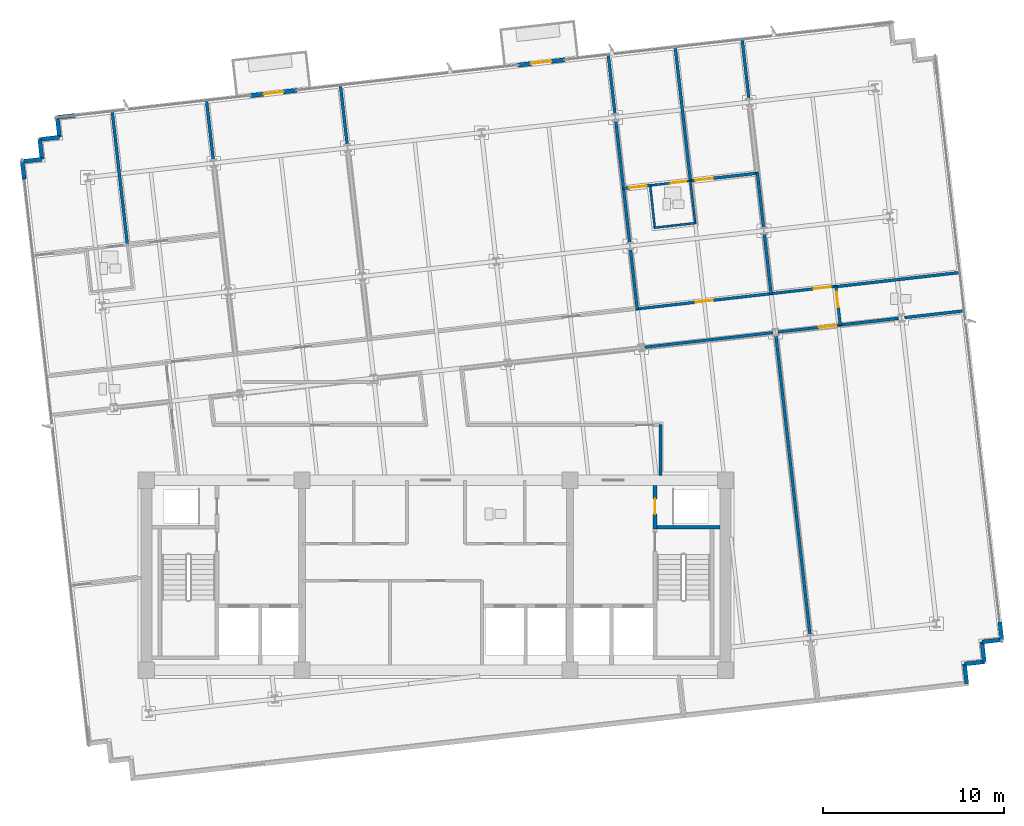
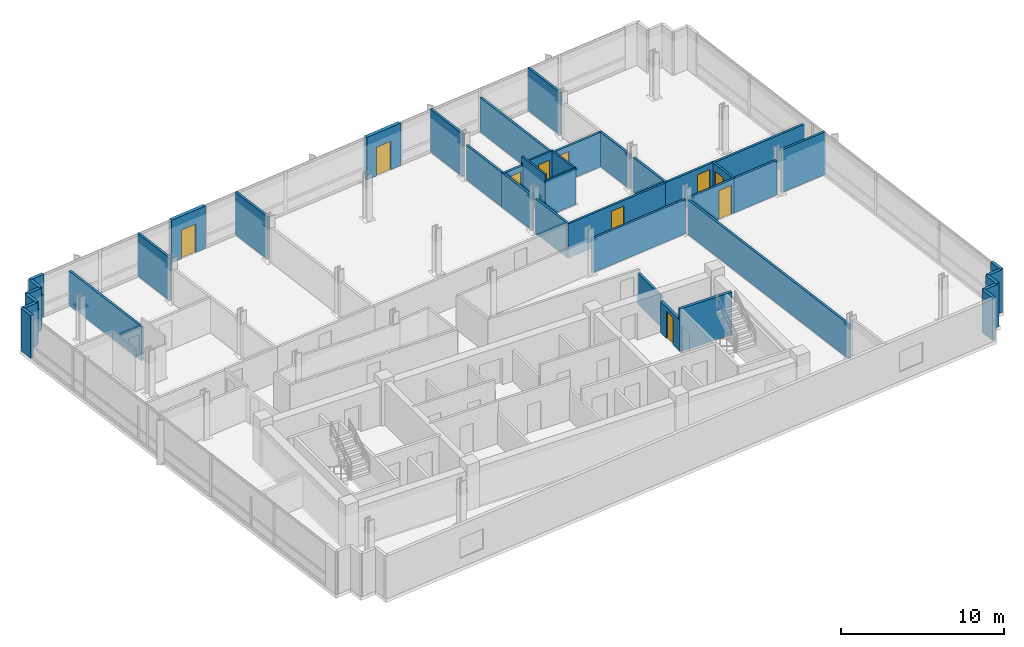
# One storey, part 10 of 15: 42 walls, 10 doors, 10 openings.
"""IFC4 building model written with IfcOpenShell, lengths in metres."""

from ifc_helpers import new_model, si_unit, direction, frame, frame_2d, origin, place, context, subcontext, project, spatial, rectangle, extrude, material, layer, layer_set, type_object, element, fill, save


model = new_model("IFC4")

# Units and contexts
model_context = context("Model", 3, precision=1e-05, world=origin(), true_north=direction((0.0, 1.0)))
body_context = subcontext(model_context, "Body", "Model", "MODEL_VIEW")
ifc_project = project(units=[si_unit("LENGTHUNIT", "METRE"), si_unit("AREAUNIT", "SQUARE_METRE"), si_unit("VOLUMEUNIT", "CUBIC_METRE"), si_unit("PLANEANGLEUNIT", "RADIAN"), si_unit("MASSUNIT", "GRAM", prefix="KILO")], contexts=[model_context])

# Site, building, storey
site_placement = place(None, origin())
site = spatial("IfcSite", under=ifc_project, at=site_placement, CompositionType="ELEMENT")
building_placement = place(site_placement, origin())
building = spatial("IfcBuilding", under=site, at=building_placement, Name="Solmavex Isthmus Hotel", CompositionType="ELEMENT")
storey_placement = place(building_placement, frame((0.0, 0.0, 229.64990234375)))
storey = spatial("IfcBuildingStorey", under=building, at=storey_placement, Name="L62", CompositionType="ELEMENT", Elevation=229.64990234375)

# Wall, opening, door
ifc_material_1 = material(Name="Precast Concrete C40/50", Category="concrete")
ifc_layer_1 = layer(ifc_material_1, 0.25)
ifc_layer_set_1 = layer_set([ifc_layer_1], Name="Precast Concrete C40/50")
wall_type_1 = type_object("IfcWallType", Name="EW-TWR-250", PredefinedType="STANDARD", material=ifc_layer_set_1)
wall_1_placement = place(storey_placement, frame((-10.26953125, 18.750244140625, 0.0), z_axis=(0.0, 0.0, 1.0), x_axis=(0.993567130319, 0.113244680008, 0.0)))
wall_1 = element("IfcWall", 1, at=wall_1_placement, inside=storey, type_object=wall_type_1, Name="Exterior Balcony Door Wall L62-2", PredefinedType="STANDARD", context=body_context, shape_type="SweptSolid", body=[
    extrude(rectangle(XDim=2.60009765625, YDim=0.239990234375, at=frame_2d((1.300048828125, 0.0))), origin(), (0.0, 0.0, 1.0), 3.190185546875),
])
opening_1_placement = place(wall_1_placement, frame((0.75, 0.0, 0.0)))
opening_1 = element("IfcOpeningElement", 2, at=opening_1_placement, cuts=wall_1, Name="Opening ED-02", PredefinedType="OPENING", context=body_context, shape_type="SweptSolid", body=[
    extrude(rectangle(XDim=1.10009765625, YDim=2.14990234375, at=frame_2d((0.550048828125, 1.074951171875))), frame((0.0, 0.1298828125, 0.0), z_axis=(0.0, -1.0, 0.0), x_axis=(1.0, 0.0, 0.0)), (0.0, 0.0, 1.0), 0.260009765625),
])
ifc_material_2 = material(Name="Aluminium alloy 6063-T6", Category="aluminium")
door_type_1 = type_object("IfcDoorType", Name="EDR-BALC-1100", OperationType="NOTDEFINED", PredefinedType="DOOR", material=ifc_material_2)
door_1_placement = place(opening_1_placement, origin())
door_1 = element("IfcDoor", 3, at=door_1_placement, inside=storey, type_object=door_type_1, Name="Balcony & Terrace Glazed Door L62-2", OperationType="SINGLE_SWING_RIGHT", OverallHeight=2.14990234375, OverallWidth=1.10009765625, PredefinedType="DOOR", context=body_context, shape_type="SweptSolid", body=[
    extrude(rectangle(XDim=1.10009765625, YDim=2.14990234375, at=frame_2d((0.550048828125, 1.074951171875))), frame((0.0, 0.02490234375, 0.0), z_axis=(0.0, -1.0, 0.0), x_axis=(1.0, 0.0, 0.0)), (0.0, 0.0, 1.0), 0.050048828125),
])
fill(opening_1, door_1)

wall_2_placement = place(storey_placement, frame((4.52685546875, 20.43603515625, 0.0), z_axis=(0.0, 0.0, 1.0), x_axis=(0.993567130319, 0.113244680008, 0.0)))
wall_2 = element("IfcWall", 4, at=wall_2_placement, inside=storey, type_object=wall_type_1, Name="Exterior Balcony Door Wall L62-3", PredefinedType="STANDARD", context=body_context, shape_type="SweptSolid", body=[
    extrude(rectangle(XDim=2.60009765625, YDim=0.239990234375, at=frame_2d((1.300048828125, 0.0))), origin(), (0.0, 0.0, 1.0), 3.190185546875),
])
opening_2_placement = place(wall_2_placement, frame((0.75, 0.0, 0.0)))
opening_2 = element("IfcOpeningElement", 5, at=opening_2_placement, cuts=wall_2, Name="Opening ED-02", PredefinedType="OPENING", context=body_context, shape_type="SweptSolid", body=[
    extrude(rectangle(XDim=1.10009765625, YDim=2.14990234375, at=frame_2d((0.550048828125, 1.074951171875))), frame((0.0, 0.1298828125, 0.0), z_axis=(0.0, -1.0, 0.0), x_axis=(1.0, 0.0, 0.0)), (0.0, 0.0, 1.0), 0.260009765625),
])
door_2_placement = place(opening_2_placement, origin())
door_2 = element("IfcDoor", 6, at=door_2_placement, inside=storey, type_object=door_type_1, Name="Balcony & Terrace Glazed Door L62-3", OperationType="SINGLE_SWING_LEFT", OverallHeight=2.14990234375, OverallWidth=1.10009765625, PredefinedType="DOOR", context=body_context, shape_type="SweptSolid", body=[
    extrude(rectangle(XDim=1.10009765625, YDim=2.14990234375, at=frame_2d((0.550048828125, 1.074951171875))), frame((0.0, 0.02490234375, 0.0), z_axis=(0.0, -1.0, 0.0), x_axis=(1.0, 0.0, 0.0)), (0.0, 0.0, 1.0), 0.050048828125),
])
fill(opening_2, door_2)

# Walls
wall_3_placement = place(storey_placement, frame((-22.74755859375, 14.128173828125, 0.0), z_axis=(0.0, 0.0, 1.0), x_axis=(-0.113191877531, 0.993573147212, 0.0)))
element("IfcWall", 7, at=wall_3_placement, inside=storey, type_object=wall_type_1, Name="Serrated Corner Facade Panel L62-07", PredefinedType="STANDARD", context=body_context, shape_type="SweptSolid", body=[
    extrude(rectangle(XDim=0.989990234375, YDim=0.219970703125, at=frame_2d((0.4951171875, 0.0))), origin(), (0.0, 0.0, 1.0), 3.190185546875),
])
wall_4_placement = place(storey_placement, frame((-22.859619140625, 15.11181640625, 0.0), z_axis=(0.0, 0.0, 1.0), x_axis=(0.99357409499, 0.113183557839, 0.0)))
element("IfcWall", 8, at=wall_4_placement, inside=storey, type_object=wall_type_1, Name="Serrated Corner Facade Panel L62-08", PredefinedType="STANDARD", context=body_context, shape_type="SweptSolid", body=[
    extrude(rectangle(XDim=1.10009765625, YDim=0.219970703125, at=frame_2d((0.550048828125, 0.0))), origin(), (0.0, 0.0, 1.0), 3.190185546875),
])
wall_5_placement = place(storey_placement, frame((-21.7666015625, 15.236328125, 0.0), z_axis=(0.0, 0.0, 1.0), x_axis=(-0.11320852056, 0.99357125103, 0.0)))
element("IfcWall", 9, at=wall_5_placement, inside=storey, type_object=wall_type_1, Name="Serrated Corner Facade Panel L62-09", PredefinedType="STANDARD", context=body_context, shape_type="SweptSolid", body=[
    extrude(rectangle(XDim=1.099853515625, YDim=0.219970703125, at=frame_2d((0.5498046875, 0.0))), origin(), (0.0, 0.0, 1.0), 3.190185546875),
])
for number, where, z_axis, x_axis, name in (
    (10, (-21.89111328125, 16.3291015625, 0.0), (0.0, 0.0, 1.0), (0.99357409499, 0.113183557839, 0.0), "Serrated Corner Facade Panel L62-10"),
    (11, (-20.798095703125, 16.45361328125, 0.0), (0.0, 0.0, 1.0), (-0.113402635104, 0.993549114212, 0.0), "Serrated Corner Facade Panel L62-11"),
):
    element("IfcWall", number, at=place(storey_placement, frame(where, z_axis=z_axis, x_axis=x_axis)), inside=storey, type_object=wall_type_1, Name=name, PredefinedType="STANDARD", context=body_context, shape_type="SweptSolid", body=[
        extrude(rectangle(XDim=1.10009765625, YDim=0.219970703125, at=frame_2d((0.550048828125, 0.0))), origin(), (0.0, 0.0, 1.0), 3.190185546875),
    ])
for number, where, z_axis, x_axis, name in (
    (12, (-20.9228515625, 17.546630859375, 0.0), (0.0, 0.0, 1.0), (0.993573147212, 0.113191877531, 0.0), "Serrated Corner Facade Panel L62-12"),
    (13, (31.1474609375, -10.328125, 0.0), (0.0, 0.0, 1.0), (0.113191877531, -0.993573147212, 0.0), "Serrated Corner Facade Panel L62-21"),
):
    element("IfcWall", number, at=place(storey_placement, frame(where, z_axis=z_axis, x_axis=x_axis)), inside=storey, type_object=wall_type_1, Name=name, PredefinedType="STANDARD", context=body_context, shape_type="SweptSolid", body=[
        extrude(rectangle(XDim=0.989990234375, YDim=0.219970703125, at=frame_2d((0.4951171875, 0.0))), origin(), (0.0, 0.0, 1.0), 3.190185546875),
    ])
wall_6_placement = place(storey_placement, frame((31.259521484375, -11.311767578125, 0.0), z_axis=(0.0, 0.0, 1.0), x_axis=(-0.99357409499, -0.113183557839, 0.0)))
element("IfcWall", 14, at=wall_6_placement, inside=storey, type_object=wall_type_1, Name="Serrated Corner Facade Panel L62-22", PredefinedType="STANDARD", context=body_context, shape_type="SweptSolid", body=[
    extrude(rectangle(XDim=1.10009765625, YDim=0.219970703125, at=frame_2d((0.550048828125, 0.0))), origin(), (0.0, 0.0, 1.0), 3.190185546875),
])
wall_7_placement = place(storey_placement, frame((30.16650390625, -11.436279296875, 0.0), z_axis=(0.0, 0.0, 1.0), x_axis=(0.113427644885, -0.993546259303, 0.0)))
element("IfcWall", 15, at=wall_7_placement, inside=storey, type_object=wall_type_1, Name="Serrated Corner Facade Panel L62-23", PredefinedType="STANDARD", context=body_context, shape_type="SweptSolid", body=[
    extrude(rectangle(XDim=1.099853515625, YDim=0.219970703125, at=frame_2d((0.5498046875, 0.0))), origin(), (0.0, 0.0, 1.0), 3.190185546875),
])
for number, where, z_axis, x_axis, name in (
    (16, (30.291259765625, -12.529052734375, 0.0), (0.0, 0.0, 1.0), (-0.99357409499, -0.113183557839, 0.0), "Serrated Corner Facade Panel L62-24"),
    (17, (29.1982421875, -12.653564453125, 0.0), (0.0, 0.0, 1.0), (0.113183557839, -0.99357409499, 0.0), "Serrated Corner Facade Panel L62-25"),
):
    element("IfcWall", number, at=place(storey_placement, frame(where, z_axis=z_axis, x_axis=x_axis)), inside=storey, type_object=wall_type_1, Name=name, PredefinedType="STANDARD", context=body_context, shape_type="SweptSolid", body=[
        extrude(rectangle(XDim=1.10009765625, YDim=0.219970703125, at=frame_2d((0.550048828125, 0.0))), origin(), (0.0, 0.0, 1.0), 3.190185546875),
    ])
ifc_material_3 = material(Name="Gypsum plasterboard lining", Category="gypsum")
ifc_layer_2 = layer(ifc_material_3, 0.159912109375)
ifc_layer_set_2 = layer_set([ifc_layer_2], Name="Gypsum plasterboard lining")
wall_type_2 = type_object("IfcWallType", Name="IW-COMP-160", PredefinedType="PARTITIONING", material=ifc_layer_set_2)
wall_8_placement = place(storey_placement, frame((-17.891845703125, 17.922119140625, 0.0), z_axis=(0.0, 0.0, 1.0), x_axis=(0.113231271668, -0.993568658481, 0.0)))
element("IfcWall", 18, at=wall_8_placement, inside=storey, type_object=wall_type_2, Name="Interior Partition Wall W-L62-P030", PredefinedType="PARTITIONING", context=body_context, shape_type="SweptSolid", body=[
    extrude(rectangle(XDim=7.511962890625, YDim=0.159912109375, at=frame_2d((3.755859375, 0.0))), origin(), (0.0, 0.0, 1.0), 2.5576171875),
])
wall_9_placement = place(storey_placement, frame((-12.681396484375, 18.515869140625, 0.0), z_axis=(0.0, 0.0, 1.0), x_axis=(0.113171804991, -0.993575433752, 0.0)))
element("IfcWall", 19, at=wall_9_placement, inside=storey, type_object=wall_type_2, Name="Interior Partition Wall W-L62-P032", PredefinedType="PARTITIONING", context=body_context, shape_type="SweptSolid", body=[
    extrude(rectangle(XDim=3.34375, YDim=0.159912109375, at=frame_2d((1.671875, 0.0))), origin(), (0.0, 0.0, 1.0), 3.190185546875),
])
wall_10_placement = place(storey_placement, frame((-5.283447265625, 19.358642578125, 0.0), z_axis=(0.0, 0.0, 1.0), x_axis=(0.113252098743, -0.993566284719, 0.0)))
element("IfcWall", 20, at=wall_10_placement, inside=storey, type_object=wall_type_2, Name="Interior Partition Wall W-L62-P034", PredefinedType="PARTITIONING", context=body_context, shape_type="SweptSolid", body=[
    extrude(rectangle(XDim=3.343505859375, YDim=0.159912109375, at=frame_2d((1.671875, 0.0))), origin(), (0.0, 0.0, 1.0), 3.190185546875),
])
wall_11_placement = place(storey_placement, frame((10.349609375, 13.701904296875, 0.0), z_axis=(0.0, 0.0, 1.0), x_axis=(0.11320956091, -0.993571132491, 0.0)))
element("IfcWall", 21, at=wall_11_placement, inside=storey, type_object=wall_type_2, Name="Interior Partition Wall W-L62-P037", PredefinedType="PARTITIONING", context=body_context, shape_type="SweptSolid", body=[
    extrude(rectangle(XDim=3.10546875, YDim=0.159912109375, at=frame_2d((1.552734375, 0.0))), origin(), (0.0, 0.0, 1.0), 2.572509765625),
])
wall_12_placement = place(storey_placement, frame((10.740966796875, 10.265869140625, 0.0), z_axis=(0.0, 0.0, 1.0), x_axis=(0.113220917918, -0.993569838384, 0.0)))
element("IfcWall", 22, at=wall_12_placement, inside=storey, type_object=wall_type_2, Name="Interior Partition Wall W-L62-P038", PredefinedType="PARTITIONING", context=body_context, shape_type="SweptSolid", body=[
    extrude(rectangle(XDim=3.36181640625, YDim=0.159912109375, at=frame_2d((1.680908203125, 0.0))), origin(), (0.0, 0.0, 1.0), 2.572509765625),
])
wall_13_placement = place(storey_placement, frame((9.512939453125, 21.04443359375, 0.0), z_axis=(0.0, 0.0, 1.0), x_axis=(0.113180015629, -0.993574498496, 0.0)))
element("IfcWall", 23, at=wall_13_placement, inside=storey, type_object=wall_type_2, Name="Interior Partition Wall W-L62-P039", PredefinedType="PARTITIONING", context=body_context, shape_type="SweptSolid", body=[
    extrude(rectangle(XDim=3.343505859375, YDim=0.159912109375, at=frame_2d((1.671875, 0.0))), origin(), (0.0, 0.0, 1.0), 3.190185546875),
])
wall_14_placement = place(storey_placement, frame((9.931396484375, 17.371826171875, 0.0), z_axis=(0.0, 0.0, 1.0), x_axis=(0.11322351182, -0.993569542796, 0.0)))
element("IfcWall", 24, at=wall_14_placement, inside=storey, type_object=wall_type_2, Name="Interior Partition Wall W-L62-P040", PredefinedType="PARTITIONING", context=body_context, shape_type="SweptSolid", body=[
    extrude(rectangle(XDim=3.857666015625, YDim=0.159912109375, at=frame_2d((1.9287109375, 0.0))), origin(), (0.0, 0.0, 1.0), 2.572509765625),
])

# Wall, opening, door
wall_15_placement = place(storey_placement, frame((10.319091796875, 13.615966796875, 0.0), z_axis=(0.0, 0.0, 1.0), x_axis=(0.993567364513, 0.113242625259, 0.0)))
wall_15 = element("IfcWall", 25, at=wall_15_placement, inside=storey, type_object=wall_type_2, Name="Interior Partition Wall W-L62-P041", PredefinedType="PARTITIONING", context=body_context, shape_type="SweptSolid", body=[
    extrude(rectangle(XDim=1.56298828125, YDim=0.159912109375, at=frame_2d((0.781494140625, 0.0))), origin(), (0.0, 0.0, 1.0), 2.572509765625),
])
opening_3_placement = place(wall_15_placement, frame((0.368896484375, 0.0, 0.0)))
opening_3 = element("IfcOpeningElement", 26, at=opening_3_placement, cuts=wall_15, Name="Opening ID-C095", PredefinedType="OPENING", context=body_context, shape_type="SweptSolid", body=[
    extrude(rectangle(XDim=0.949951171875, YDim=2.14990234375, at=frame_2d((0.47509765625, 1.074951171875))), frame((0.0, 0.08984375, 0.0), z_axis=(0.0, -1.0, 0.0), x_axis=(1.0, 0.0, 0.0)), (0.0, 0.0, 1.0), 0.179931640625),
])
ifc_material_4 = material(Name="Hardwood timber", Category="wood")
door_type_2 = type_object("IfcDoorType", Name="IDR-FD60-0950", OperationType="NOTDEFINED", PredefinedType="DOOR", material=ifc_material_4)
door_3_placement = place(opening_3_placement, origin())
door_3 = element("IfcDoor", 27, at=door_3_placement, inside=storey, type_object=door_type_2, Name="Diplomatic Hospitality Suite Bedroom Door L62-08", OperationType="SINGLE_SWING_RIGHT", OverallHeight=2.14990234375, OverallWidth=0.949951171875, PredefinedType="DOOR", context=body_context, shape_type="SweptSolid", body=[
    extrude(rectangle(XDim=0.949951171875, YDim=2.14990234375, at=frame_2d((0.47509765625, 1.074951171875))), frame((0.0, 0.02490234375, 0.0), z_axis=(0.0, -1.0, 0.0), x_axis=(1.0, 0.0, 0.0)), (0.0, 0.0, 1.0), 0.050048828125),
])
fill(opening_3, door_3)

wall_16_placement = place(storey_placement, frame((14.00830078125, 14.036376953125, 0.0), z_axis=(0.0, 0.0, 1.0), x_axis=(0.993571415155, 0.113207080105, 0.0)))
wall_16 = element("IfcWall", 28, at=wall_16_placement, inside=storey, type_object=wall_type_2, Name="Interior Partition Wall W-L62-P042", PredefinedType="PARTITIONING", context=body_context, shape_type="SweptSolid", body=[
    extrude(rectangle(XDim=3.812744140625, YDim=0.159912109375, at=frame_2d((1.90625, 0.0))), origin(), (0.0, 0.0, 1.0), 2.572509765625),
])
opening_4_placement = place(wall_16_placement, frame((0.333984375, 0.0, 0.0)))
opening_4 = element("IfcOpeningElement", 29, at=opening_4_placement, cuts=wall_16, Name="Opening ID-C095", PredefinedType="OPENING", context=body_context, shape_type="SweptSolid", body=[
    extrude(rectangle(XDim=0.949951171875, YDim=2.14990234375, at=frame_2d((0.47509765625, 1.074951171875))), frame((0.0, 0.08984375, 0.0), z_axis=(0.0, -1.0, 0.0), x_axis=(1.0, 0.0, 0.0)), (0.0, 0.0, 1.0), 0.179931640625),
])
door_4_placement = place(opening_4_placement, origin())
door_4 = element("IfcDoor", 30, at=door_4_placement, inside=storey, type_object=door_type_2, Name="Diplomatic Hospitality Suite Sitting Lounge Door L62-09", OperationType="SINGLE_SWING_LEFT", OverallHeight=2.14990234375, OverallWidth=0.949951171875, PredefinedType="DOOR", context=body_context, shape_type="SweptSolid", body=[
    extrude(rectangle(XDim=0.949951171875, YDim=2.14990234375, at=frame_2d((0.47509765625, 1.074951171875))), frame((0.0, 0.02490234375, 0.0), z_axis=(0.0, -1.0, 0.0), x_axis=(1.0, 0.0, 0.0)), (0.0, 0.0, 1.0), 0.050048828125),
])
fill(opening_4, door_4)

# Walls
wall_17_placement = place(storey_placement, frame((17.75244140625, 14.503173828125, 0.0), z_axis=(0.0, 0.0, 1.0), x_axis=(0.113160011497, -0.993576777002, 0.0)))
element("IfcWall", 31, at=wall_17_placement, inside=storey, type_object=wall_type_2, Name="Interior Partition Wall W-L62-P046", PredefinedType="PARTITIONING", context=body_context, shape_type="SweptSolid", body=[
    extrude(rectangle(XDim=3.063720703125, YDim=0.159912109375, at=frame_2d((1.53173828125, 0.0))), origin(), (0.0, 0.0, 1.0), 2.572509765625),
])
wall_18_placement = place(storey_placement, frame((18.13916015625, 11.108642578125, 0.0), z_axis=(0.0, 0.0, 1.0), x_axis=(0.113229088195, -0.993568907317, 0.0)))
element("IfcWall", 32, at=wall_18_placement, inside=storey, type_object=wall_type_2, Name="Interior Partition Wall W-L62-P047", PredefinedType="PARTITIONING", context=body_context, shape_type="SweptSolid", body=[
    extrude(rectangle(XDim=3.361572265625, YDim=0.159912109375, at=frame_2d((1.6806640625, 0.0))), origin(), (0.0, 0.0, 1.0), 2.572509765625),
])
wall_19_placement = place(storey_placement, frame((13.2255859375, 21.3466796875, 0.0), z_axis=(0.0, 0.0, 1.0), x_axis=(0.113218703946, -0.993570090671, 0.0)))
element("IfcWall", 33, at=wall_19_placement, inside=storey, type_object=wall_type_2, Name="Interior Partition Wall W-L62-P048", PredefinedType="PARTITIONING", context=body_context, shape_type="SweptSolid", body=[
    extrude(rectangle(XDim=7.39208984375, YDim=0.159912109375, at=frame_2d((3.696044921875, 0.0))), origin(), (0.0, 0.0, 1.0), 2.5576171875),
])
wall_20_placement = place(storey_placement, frame((16.9111328125, 21.887451171875, 0.0), z_axis=(0.0, 0.0, 1.0), x_axis=(0.113171804991, -0.993575433752, 0.0)))
element("IfcWall", 34, at=wall_20_placement, inside=storey, type_object=wall_type_2, Name="Interior Partition Wall W-L62-P050", PredefinedType="PARTITIONING", context=body_context, shape_type="SweptSolid", body=[
    extrude(rectangle(XDim=3.34375, YDim=0.159912109375, at=frame_2d((1.671875, 0.0))), origin(), (0.0, 0.0, 1.0), 3.190185546875),
])
wall_21_placement = place(storey_placement, frame((28.977783203125, 8.98046875, 0.0), z_axis=(0.0, 0.0, 1.0), x_axis=(-0.993571800428, -0.113203698681, 0.0)))
element("IfcWall", 35, at=wall_21_placement, inside=storey, type_object=wall_type_2, Name="Interior Partition Wall W-L62-P052", PredefinedType="PARTITIONING", context=body_context, shape_type="SweptSolid", body=[
    extrude(rectangle(XDim=6.968017578125, YDim=0.159912109375, at=frame_2d((3.48388671875, 0.0))), origin(), (0.0, 0.0, 1.0), 2.5576171875),
])
wall_22_placement = place(storey_placement, frame((25.546142578125, 6.44580078125, 0.0), z_axis=(0.0, 0.0, 1.0), x_axis=(-0.993568592225, -0.113231853041, 0.0)))
element("IfcWall", 36, at=wall_22_placement, inside=storey, type_object=wall_type_2, Name="Interior Partition Wall W-L62-P055", PredefinedType="PARTITIONING", context=body_context, shape_type="SweptSolid", body=[
    extrude(rectangle(XDim=3.281494140625, YDim=0.159912109375, at=frame_2d((1.640625, 0.0))), origin(), (0.0, 0.0, 1.0), 2.572509765625),
])
wall_23_placement = place(storey_placement, frame((29.21875, 6.864013671875, 0.0), z_axis=(0.0, 0.0, 1.0), x_axis=(-0.993574498496, -0.113180015629, 0.0)))
element("IfcWall", 37, at=wall_23_placement, inside=storey, type_object=wall_type_2, Name="Interior Partition Wall W-L62-P056", PredefinedType="PARTITIONING", context=body_context, shape_type="SweptSolid", body=[
    extrude(rectangle(XDim=3.343505859375, YDim=0.159912109375, at=frame_2d((1.671875, 0.0))), origin(), (0.0, 0.0, 1.0), 3.190185546875),
])
wall_24_placement = place(storey_placement, frame((18.778564453125, 5.4970703125, 0.0), z_axis=(0.0, 0.0, 1.0), x_axis=(0.113202873157, -0.993571894484, 0.0)))
element("IfcWall", 38, at=wall_24_placement, inside=storey, type_object=wall_type_2, Name="Interior Partition Wall W-L62-P059", PredefinedType="PARTITIONING", context=body_context, shape_type="SweptSolid", body=[
    extrude(rectangle(XDim=16.647216796875, YDim=0.159912109375, at=frame_2d((8.32373046875, 0.0))), origin(), (0.0, 0.0, 1.0), 2.572509765625),
])

# Wall, opening, door
ifc_layer_3 = layer(ifc_material_3, 0.14990234375)
ifc_layer_set_3 = layer_set([ifc_layer_3], Name="Gypsum plasterboard lining")
wall_type_3 = type_object("IfcWallType", Name="IW-CORR-150", PredefinedType="PARTITIONING", material=ifc_layer_set_3)
wall_25_placement = place(storey_placement, frame((11.03564453125, 6.956298828125, 0.0), z_axis=(0.0, 0.0, 1.0), x_axis=(0.993570360949, 0.113216332056, 0.0)))
wall_25 = element("IfcWall", 39, at=wall_25_placement, inside=storey, type_object=wall_type_3, Name="Interior Partition Wall W-L62-P004", PredefinedType="PARTITIONING", context=body_context, shape_type="SweptSolid", body=[
    extrude(rectangle(XDim=7.60986328125, YDim=0.14990234375, at=frame_2d((3.804931640625, 0.0))), origin(), (0.0, 0.0, 1.0), 2.572509765625),
])
opening_5_placement = place(wall_25_placement, frame((3.330078125, 0.0, 0.0)))
opening_5 = element("IfcOpeningElement", 40, at=opening_5_placement, cuts=wall_25, Name="Opening ID-C095", PredefinedType="OPENING", context=body_context, shape_type="SweptSolid", body=[
    extrude(rectangle(XDim=0.949951171875, YDim=2.14990234375, at=frame_2d((0.47509765625, 1.074951171875))), frame((0.0, 0.0849609375, 0.0), z_axis=(0.0, -1.0, 0.0), x_axis=(1.0, 0.0, 0.0)), (0.0, 0.0, 1.0), 0.169921875),
])
door_5_placement = place(opening_5_placement, origin())
door_5 = element("IfcDoor", 41, at=door_5_placement, inside=storey, type_object=door_type_2, Name="Diplomatic Hospitality Suite Reception Foyer Door L62-07", OperationType="SINGLE_SWING_LEFT", OverallHeight=2.14990234375, OverallWidth=0.949951171875, PredefinedType="DOOR", context=body_context, shape_type="SweptSolid", body=[
    extrude(rectangle(XDim=0.949951171875, YDim=2.14990234375, at=frame_2d((0.47509765625, 1.074951171875))), frame((0.0, 0.02490234375, 0.0), z_axis=(0.0, -1.0, 0.0), x_axis=(1.0, 0.0, 0.0)), (0.0, 0.0, 1.0), 0.050048828125),
])
fill(opening_5, door_5)

wall_26_placement = place(storey_placement, frame((18.43359375, 7.79931640625, 0.0), z_axis=(0.0, 0.0, 1.0), x_axis=(0.993578468541, 0.11314515832, 0.0)))
wall_26 = element("IfcWall", 42, at=wall_26_placement, inside=storey, type_object=wall_type_3, Name="Interior Partition Wall W-L62-P005", PredefinedType="PARTITIONING", context=body_context, shape_type="SweptSolid", body=[
    extrude(rectangle(XDim=3.72216796875, YDim=0.14990234375, at=frame_2d((1.861083984375, 0.0))), origin(), (0.0, 0.0, 1.0), 2.572509765625),
])
opening_6_placement = place(wall_26_placement, frame((2.456787109375, 0.0, 0.0)))
opening_6 = element("IfcOpeningElement", 43, at=opening_6_placement, cuts=wall_26, Name="Opening ID-C095", PredefinedType="OPENING", context=body_context, shape_type="SweptSolid", body=[
    extrude(rectangle(XDim=0.949951171875, YDim=2.14990234375, at=frame_2d((0.47509765625, 1.074951171875))), frame((0.0, 0.0849609375, 0.0), z_axis=(0.0, -1.0, 0.0), x_axis=(1.0, 0.0, 0.0)), (0.0, 0.0, 1.0), 0.169921875),
])
door_6_placement = place(opening_6_placement, origin())
door_6 = element("IfcDoor", 44, at=door_6_placement, inside=storey, type_object=door_type_2, Name="Executive Hospitality Lounge Door L62-11", OperationType="SINGLE_SWING_LEFT", OverallHeight=2.14990234375, OverallWidth=0.949951171875, PredefinedType="DOOR", context=body_context, shape_type="SweptSolid", body=[
    extrude(rectangle(XDim=0.949951171875, YDim=2.14990234375, at=frame_2d((0.47509765625, 1.074951171875))), frame((0.0, 0.02490234375, 0.0), z_axis=(0.0, -1.0, 0.0), x_axis=(1.0, 0.0, 0.0)), (0.0, 0.0, 1.0), 0.050048828125),
])
fill(opening_6, door_6)

wall_27_placement = place(storey_placement, frame((22.08984375, 8.23583984375, 0.0), z_axis=(0.0, 0.0, 1.0), x_axis=(0.113122854389, -0.993581008179, 0.0)))
wall_27 = element("IfcWall", 45, at=wall_27_placement, inside=storey, type_object=wall_type_3, Name="Interior Partition Wall W-L62-P007", PredefinedType="PARTITIONING", context=body_context, shape_type="SweptSolid", body=[
    extrude(rectangle(XDim=2.2099609375, YDim=0.14990234375, at=frame_2d((1.10498046875, 0.0))), origin(), (0.0, 0.0, 1.0), 2.572509765625),
])
opening_7_placement = place(wall_27_placement, frame((0.322265625, 0.0, 0.0)))
opening_7 = element("IfcOpeningElement", 46, at=opening_7_placement, cuts=wall_27, Name="Opening ID-R085", PredefinedType="OPENING", context=body_context, shape_type="SweptSolid", body=[
    extrude(rectangle(XDim=0.85009765625, YDim=2.050048828125, at=frame_2d((0.425048828125, 1.02490234375))), frame((0.0, 0.0849609375, 0.0), z_axis=(0.0, -1.0, 0.0), x_axis=(1.0, 0.0, 0.0)), (0.0, 0.0, 1.0), 0.169921875),
])
ifc_material_5 = material(Name="Steel ASTM A500 Grade C", Category="steel")
door_type_3 = type_object("IfcDoorType", Name="IDR-FD60-0850", OperationType="NOTDEFINED", PredefinedType="DOOR", material=ifc_material_5)
door_7_placement = place(opening_7_placement, frame((0.85009765625, 0.0, 0.0), z_axis=(0.0, 0.0, 1.0), x_axis=(-1.0, 0.0, 0.0)))
door_7 = element("IfcDoor", 47, at=door_7_placement, inside=storey, type_object=door_type_3, Name="Public Restroom WC Door L62-13", OperationType="SINGLE_SWING_LEFT", OverallHeight=2.050048828125, OverallWidth=0.85009765625, PredefinedType="DOOR", context=body_context, shape_type="SweptSolid", body=[
    extrude(rectangle(XDim=0.85009765625, YDim=2.050048828125, at=frame_2d((0.425048828125, 1.02490234375))), frame((0.0, 0.02490234375, 0.0), z_axis=(0.0, -1.0, 0.0), x_axis=(1.0, 0.0, 0.0)), (0.0, 0.0, 1.0), 0.050048828125),
])
fill(opening_7, door_7)

# Walls
wall_28_placement = place(storey_placement, frame((12.39990234375, 0.590087890625, 0.0), z_axis=(0.0, 0.0, 1.0), x_axis=(0.0, -1.0, 0.0)))
element("IfcWall", 48, at=wall_28_placement, inside=storey, type_object=wall_type_3, Name="Interior Partition Wall W-L62-P018", PredefinedType="PARTITIONING", context=body_context, shape_type="SweptSolid", body=[
    extrude(rectangle(XDim=2.830078125, YDim=0.14990234375, at=frame_2d((1.4150390625, 0.0))), origin(), (0.0, 0.0, 1.0), 2.3251953125),
])
wall_29_placement = place(storey_placement, frame((18.625, 5.6572265625, 0.0), z_axis=(0.0, 0.0, 1.0), x_axis=(-0.993569785772, -0.11322137961, 0.0)))
element("IfcWall", 49, at=wall_29_placement, inside=storey, type_object=wall_type_3, Name="Interior Partition Wall W-L62-P020", PredefinedType="PARTITIONING", context=body_context, shape_type="SweptSolid", body=[
    extrude(rectangle(XDim=7.13525390625, YDim=0.14990234375, at=frame_2d((3.567626953125, 0.0))), origin(), (0.0, 0.0, 1.0), 2.572509765625),
])

# Wall, opening, door
wall_30_placement = place(storey_placement, frame((22.375244140625, 6.08447265625, 0.0), z_axis=(0.0, 0.0, 1.0), x_axis=(-0.993568982909, -0.113228424882, 0.0)))
wall_30 = element("IfcWall", 50, at=wall_30_placement, inside=storey, type_object=wall_type_3, Name="Interior Partition Wall W-L62-P021", PredefinedType="PARTITIONING", context=body_context, shape_type="SweptSolid", body=[
    extrude(rectangle(XDim=3.505859375, YDim=0.14990234375, at=frame_2d((1.7529296875, 0.0))), origin(), (0.0, 0.0, 1.0), 2.572509765625),
])
opening_8_placement = place(wall_30_placement, frame((0.270751953125, 0.0, 0.0)))
opening_8 = element("IfcOpeningElement", 51, at=opening_8_placement, cuts=wall_30, Name="Opening ID-C095", PredefinedType="OPENING", context=body_context, shape_type="SweptSolid", body=[
    extrude(rectangle(XDim=0.949951171875, YDim=2.14990234375, at=frame_2d((0.47509765625, 1.074951171875))), frame((0.0, 0.0849609375, 0.0), z_axis=(0.0, -1.0, 0.0), x_axis=(1.0, 0.0, 0.0)), (0.0, 0.0, 1.0), 0.169921875),
])
door_8_placement = place(opening_8_placement, origin())
door_8 = element("IfcDoor", 52, at=door_8_placement, inside=storey, type_object=door_type_2, Name="Corporate Briefing Office Door L62-18", OperationType="SINGLE_SWING_RIGHT", OverallHeight=2.14990234375, OverallWidth=0.949951171875, PredefinedType="DOOR", context=body_context, shape_type="SweptSolid", body=[
    extrude(rectangle(XDim=0.949951171875, YDim=2.14990234375, at=frame_2d((0.47509765625, 1.074951171875))), frame((0.0, 0.02490234375, 0.0), z_axis=(0.0, -1.0, 0.0), x_axis=(1.0, 0.0, 0.0)), (0.0, 0.0, 1.0), 0.050048828125),
])
fill(opening_8, door_8)

# Walls
ifc_layer_4 = layer(ifc_material_3, 0.1201171875)
ifc_layer_set_4 = layer_set([ifc_layer_4], Name="Gypsum plasterboard lining")
wall_type_4 = type_object("IfcWallType", Name="IW-PART-120", PredefinedType="PARTITIONING", material=ifc_layer_set_4)
wall_31_placement = place(storey_placement, frame((11.827880859375, 13.828125, 0.0), z_axis=(0.0, 0.0, 1.0), x_axis=(0.10900891826, -0.994040771669, 0.0)))
element("IfcWall", 53, at=wall_31_placement, inside=storey, type_object=wall_type_4, Name="Interior Partition Wall W-L62-P043", PredefinedType="PARTITIONING", context=body_context, shape_type="SweptSolid", body=[
    extrude(rectangle(XDim=2.429931640625, YDim=0.1201171875, at=frame_2d((1.21484375, 0.0))), origin(), (0.0, 0.0, 1.0), 3.190185546875),
])
wall_32_placement = place(storey_placement, frame((12.048583984375, 11.44775390625, 0.0), z_axis=(0.0, 0.0, 1.0), x_axis=(0.993564044581, 0.113271749862, 0.0)))
element("IfcWall", 54, at=wall_32_placement, inside=storey, type_object=wall_type_4, Name="Interior Partition Wall W-L62-P044", PredefinedType="PARTITIONING", context=body_context, shape_type="SweptSolid", body=[
    extrude(rectangle(XDim=2.329833984375, YDim=0.1201171875, at=frame_2d((1.1650390625, 0.0))), origin(), (0.0, 0.0, 1.0), 2.71826171875),
])
wall_33_placement = place(storey_placement, frame((14.32861328125, 11.66748046875, 0.0), z_axis=(0.0, 0.0, 1.0), x_axis=(-0.117453323997, 0.993078404096, 0.0)))
element("IfcWall", 55, at=wall_33_placement, inside=storey, type_object=wall_type_4, Name="Interior Partition Wall W-L62-P045", PredefinedType="PARTITIONING", context=body_context, shape_type="SweptSolid", body=[
    extrude(rectangle(XDim=2.429931640625, YDim=0.1201171875, at=frame_2d((1.21484375, 0.0))), origin(), (0.0, 0.0, 1.0), 2.71826171875),
])

# Wall, opening, door
wall_34_placement = place(storey_placement, frame((14.09765625, 14.046630859375, 0.0), z_axis=(0.0, 0.0, 1.0), x_axis=(-0.993569776601, -0.113221460091, 0.0)))
wall_34 = element("IfcWall", 56, at=wall_34_placement, inside=storey, type_object=wall_type_4, Name="Interior Partition Wall W-L62-P049", PredefinedType="PARTITIONING", context=body_context, shape_type="SweptSolid", body=[
    extrude(rectangle(XDim=2.371826171875, YDim=0.1201171875, at=frame_2d((1.18603515625, 0.0))), origin(), (0.0, 0.0, 1.0), 2.71826171875),
])
opening_9_placement = place(wall_34_placement, frame((0.27978515625, 0.0, 0.0)))
opening_9 = element("IfcOpeningElement", 57, at=opening_9_placement, cuts=wall_34, Name="Opening ID-U085", PredefinedType="OPENING", context=body_context, shape_type="SweptSolid", body=[
    extrude(rectangle(XDim=0.85009765625, YDim=2.10009765625, at=frame_2d((0.425048828125, 1.050048828125))), frame((0.0, 0.070068359375, 0.0), z_axis=(0.0, -1.0, 0.0), x_axis=(1.0, 0.0, 0.0)), (0.0, 0.0, 1.0), 0.14013671875),
])
door_type_4 = type_object("IfcDoorType", Name="IDR-UNR-0850", OperationType="NOTDEFINED", PredefinedType="DOOR", material=ifc_material_4)
door_9_placement = place(opening_9_placement, frame((0.85009765625, 0.0, 0.0), z_axis=(0.0, 0.0, 1.0), x_axis=(-1.0, 0.0, 0.0)))
door_9 = element("IfcDoor", 58, at=door_9_placement, inside=storey, type_object=door_type_4, Name="En-suite Bathroom Door L62-10", OperationType="SINGLE_SWING_RIGHT", OverallHeight=2.10009765625, OverallWidth=0.85009765625, PredefinedType="DOOR", context=body_context, shape_type="SweptSolid", body=[
    extrude(rectangle(XDim=0.85009765625, YDim=2.10009765625, at=frame_2d((0.425048828125, 1.050048828125))), frame((0.0, 0.02490234375, 0.0), z_axis=(0.0, -1.0, 0.0), x_axis=(1.0, 0.0, 0.0)), (0.0, 0.0, 1.0), 0.050048828125),
])
fill(opening_9, door_9)

ifc_material_6 = material(Name="Concrete C40/50", Category="concrete")
ifc_layer_5 = layer(ifc_material_6, 0.199951171875)
ifc_layer_set_5 = layer_set([ifc_layer_5], Name="Concrete C40/50")
wall_type_5 = type_object("IfcWallType", Name="IW-SHAFT-200", PredefinedType="PARTITIONING", material=ifc_layer_set_5)
wall_35_placement = place(storey_placement, frame((12.10009765625, -5.199951171875, 0.0), z_axis=(0.0, 0.0, 1.0), x_axis=(0.0, 1.0, 0.0)))
wall_35 = element("IfcWall", 59, at=wall_35_placement, inside=storey, type_object=wall_type_5, Name="Interior Partition Wall W-L62-RSE-W", PredefinedType="PARTITIONING", context=body_context, shape_type="SweptSolid", body=[
    extrude(rectangle(XDim=2.39990234375, YDim=0.199951171875, at=frame_2d((1.199951171875, 0.0))), origin(), (0.0, 0.0, 1.0), 2.3251953125),
])
opening_10_placement = place(wall_35_placement, frame((0.824951171875, 0.0, 0.0)))
opening_10 = element("IfcOpeningElement", 60, at=opening_10_placement, cuts=wall_35, Name="Opening ID-R085", PredefinedType="OPENING", context=body_context, shape_type="SweptSolid", body=[
    extrude(rectangle(XDim=0.85009765625, YDim=2.050048828125, at=frame_2d((0.425048828125, 1.02490234375))), frame((0.0, 0.10986328125, 0.0), z_axis=(0.0, -1.0, 0.0), x_axis=(1.0, 0.0, 0.0)), (0.0, 0.0, 1.0), 0.219970703125),
])
door_10_placement = place(opening_10_placement, frame((0.85009765625, 0.0, 0.0), z_axis=(0.0, 0.0, 1.0), x_axis=(-1.0, 0.0, 0.0)))
door_10 = element("IfcDoor", 61, at=door_10_placement, inside=storey, type_object=door_type_3, Name="Mechanical Riser Door L62", OperationType="SINGLE_SWING_LEFT", OverallHeight=2.050048828125, OverallWidth=0.85009765625, PredefinedType="DOOR", context=body_context, shape_type="SweptSolid", body=[
    extrude(rectangle(XDim=0.85009765625, YDim=2.050048828125, at=frame_2d((0.425048828125, 1.02490234375))), frame((0.0, 0.02490234375, 0.0), z_axis=(0.0, -1.0, 0.0), x_axis=(1.0, 0.0, 0.0)), (0.0, 0.0, 1.0), 0.050048828125),
])
fill(opening_10, door_10)

# Wall
ifc_layer_6 = layer(ifc_material_6, 0.199951171875)
ifc_layer_set_6 = layer_set([ifc_layer_6], Name="Concrete C40/50")
wall_type_6 = type_object("IfcWallType", Name="WALL-SW-200", PredefinedType="SOLIDWALL", material=ifc_layer_set_6)
wall_36_placement = place(storey_placement, frame((12.0, -5.10009765625, 0.0), z_axis=(0.0, 0.0, 1.0), x_axis=(1.0, 0.0, 0.0)))
element("IfcWall", 62, at=wall_36_placement, inside=storey, type_object=wall_type_6, Name="Stairwell Structural Wall SW-L62-ST2-N", PredefinedType="SOLIDWALL", context=body_context, shape_type="SweptSolid", body=[
    extrude(rectangle(XDim=3.699951171875, YDim=0.199951171875, at=frame_2d((1.85009765625, 0.0))), origin(), (0.0, 0.0, 1.0), 3.190185546875),
])

save(model, "model.ifc")
